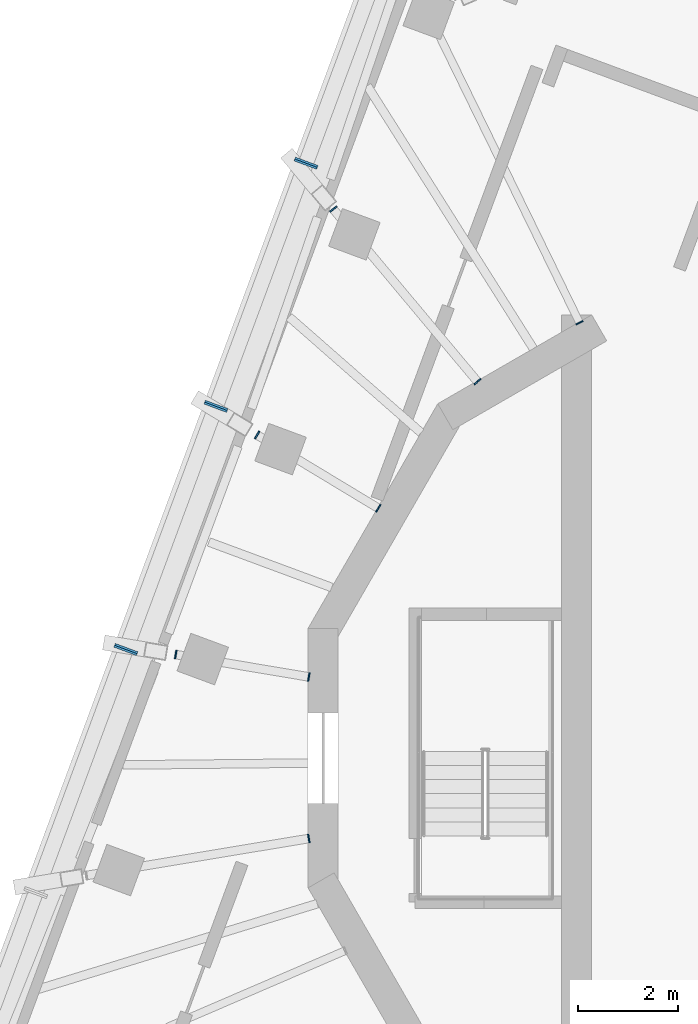
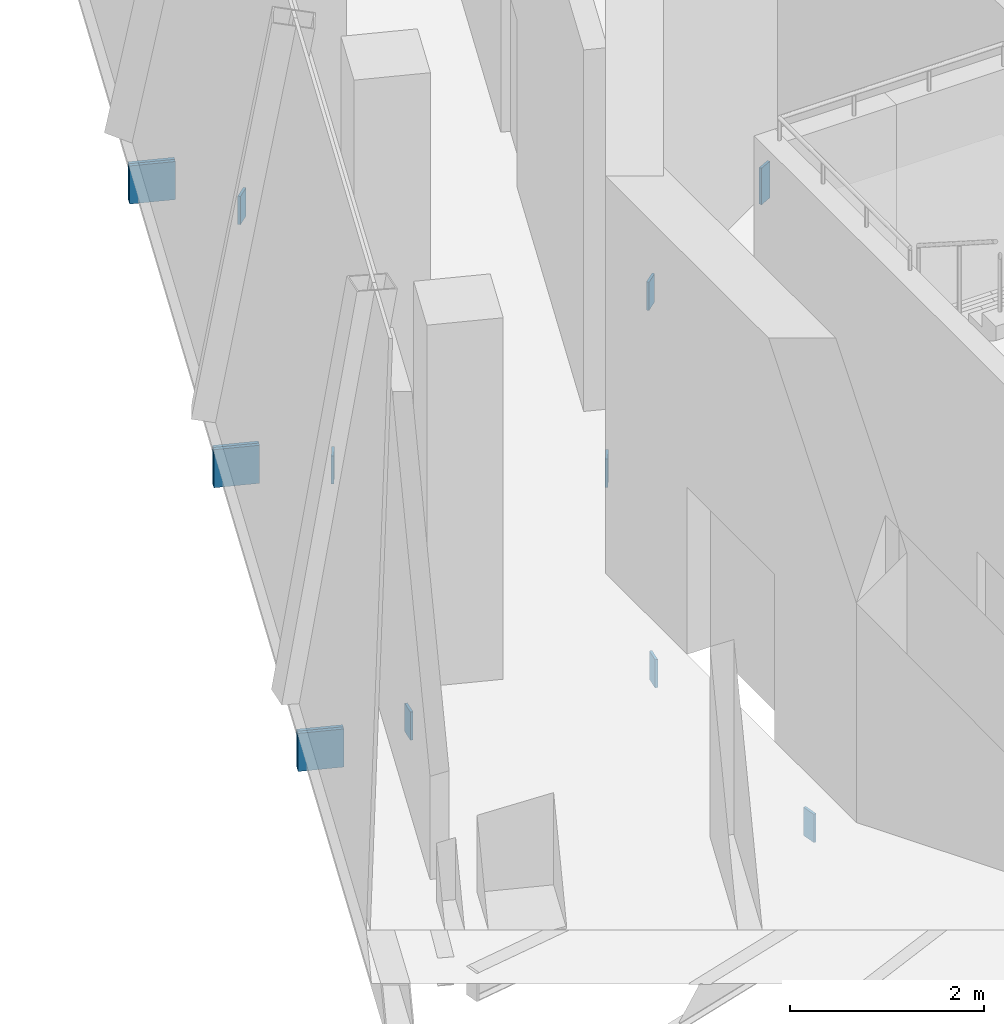
# One storey, part 9 of 13: 14 discrete accessories, 4 elements without a shape of their own.
"""IFC4 building model written with IfcOpenShell, lengths in metres."""

import ifcopenshell
import ifcopenshell.guid

model = None  # the IFC model being written
_history = None  # IfcOwnerHistory: only IFC2X3 demands one
_inside = {}  # id of a spatial element -> (the spatial element, [elements in it])
_under = {}  # id of a project, library or spatial element -> (it, [spatial elements below it])
_declared = {}  # id of a project -> (the project, [libraries it declares])
_typed = {}  # id of a type object -> (the type object, [elements of that type])
_made_of = {}  # id of a material, layer set ... -> (it, [elements and type objects made of it])


def new_model(schema):
    """Start an empty IFC model of exactly this schema.

    Asked for "IFC4X3", IfcOpenShell would pick the latest addendum, in which some entities
    have other attributes; the version numbers below select the first issue.
    IFC2X3 requires an IfcOwnerHistory on every rooted entity: one is made here for all.
    """
    global model, _history
    if schema == "IFC4X3":
        model = ifcopenshell.file(schema_version=(4, 3, 0, 0))
    else:
        model = ifcopenshell.file(schema=schema)
    _inside.clear()
    _under.clear()
    _declared.clear()
    _typed.clear()
    _made_of.clear()
    _history = None
    if model.schema == "IFC2X3":
        org = make("IfcOrganization", Name="unknown")
        user = make(
            "IfcPersonAndOrganization",
            ThePerson=make("IfcPerson", FamilyName="unknown"),
            TheOrganization=org,
        )
        app = make(
            "IfcApplication",
            ApplicationDeveloper=org,
            Version="unknown",
            ApplicationFullName="unknown",
            ApplicationIdentifier="unknown",
        )
        _history = make(
            "IfcOwnerHistory",
            OwningUser=user,
            OwningApplication=app,
            ChangeAction="ADDED",
            CreationDate=0,
        )
    return model


def make(cls, **values):
    """One entity of the class cls with the attributes given. An attribute that is None is left unset."""
    return model.create_entity(
        cls, **{name: value for name, value in values.items() if value is not None}
    )


def rooted(cls, **values):
    """An entity with a GlobalId (a new one), such as an element, a storey or a relation."""
    return make(cls, GlobalId=ifcopenshell.guid.new(), OwnerHistory=_history, **values)


def si_unit(unit_type, name, prefix=None):
    """IfcSIUnit, for example si_unit("LENGTHUNIT", "METRE", prefix="MILLI")."""
    return make("IfcSIUnit", UnitType=unit_type, Prefix=prefix, Name=name)


def assignment(units):
    """IfcUnitAssignment: the units of a project."""
    return None if units is None else make("IfcUnitAssignment", Units=units)


def point(xyz):
    """IfcCartesianPoint."""
    return None if xyz is None else make("IfcCartesianPoint", Coordinates=xyz)


def direction(xyz):
    """IfcDirection."""
    return None if xyz is None else make("IfcDirection", DirectionRatios=xyz)


def frame(location, z_axis=None, x_axis=None):
    """IfcAxis2Placement3D, a coordinate frame: its origin and axes. An axis left out is left unset."""
    return make(
        "IfcAxis2Placement3D",
        Location=point(location),
        Axis=direction(z_axis),
        RefDirection=direction(x_axis),
    )


def origin():
    """The frame at (0, 0, 0) with its axes left unset."""
    return frame((0.0, 0.0, 0.0))


def place(relative_to, where):
    """IfcLocalPlacement: puts the frame where relative to a parent placement (None: the world)."""
    return make(
        "IfcLocalPlacement", PlacementRelTo=relative_to, RelativePlacement=where
    )


def context(
    kind, dimensions, precision=None, world=None, true_north=None, identifier=None
):
    """IfcGeometricRepresentationContext, for example the 3D "Model" context."""
    return make(
        "IfcGeometricRepresentationContext",
        ContextIdentifier=identifier,
        ContextType=kind,
        CoordinateSpaceDimension=dimensions,
        Precision=precision,
        WorldCoordinateSystem=world,
        TrueNorth=true_north,
    )


def subcontext(parent, identifier, kind, view, scale=None):
    """IfcGeometricRepresentationSubContext, for example "Body" below "Model"."""
    return make(
        "IfcGeometricRepresentationSubContext",
        ContextIdentifier=identifier,
        ContextType=kind,
        ParentContext=parent,
        TargetScale=scale,
        TargetView=view,
    )


def project(units=None, contexts=None):
    """IfcProject with its units and contexts."""
    return rooted(
        "IfcProject",
        Name="project",
        RepresentationContexts=contexts,
        UnitsInContext=assignment(units),
    )


def spatial(cls, under=None, at=None, **own):
    """A site, building, storey or space (cls), placed at a placement, below another one or the project."""
    s = rooted(cls, ObjectPlacement=at, **own)
    if under is not None:
        _under.setdefault(under.id(), (under, []))[1].append(s)
    return s


def polyline(points):
    """IfcPolyline through the points."""
    return make("IfcPolyline", Points=[point(p) for p in points])


def outline(outer, holes=None, kind="AREA"):
    """IfcArbitraryClosedProfileDef: a profile drawn as a closed curve; with holes, ...WithVoids."""
    if holes is None:
        return make("IfcArbitraryClosedProfileDef", ProfileType=kind, OuterCurve=outer)
    return make(
        "IfcArbitraryProfileDefWithVoids",
        ProfileType=kind,
        OuterCurve=outer,
        InnerCurves=holes,
    )


def extrude(swept, where, along, depth):
    """IfcExtrudedAreaSolid: the profile swept, set in the frame where, extruded along a direction by depth."""
    return make(
        "IfcExtrudedAreaSolid",
        SweptArea=swept,
        Position=where,
        ExtrudedDirection=direction(along),
        Depth=depth,
    )


def shape(context_of_items, identifier, shape_type, items):
    """IfcShapeRepresentation: the items that make up one representation, for example the "Body"."""
    return make(
        "IfcShapeRepresentation",
        ContextOfItems=context_of_items,
        RepresentationIdentifier=identifier,
        RepresentationType=shape_type,
        Items=items,
    )


def material(Name=None, Category=None):
    """IfcMaterial."""
    return make("IfcMaterial", Name=Name, Category=Category)


def layer(
    of_material, thickness, ventilated=None, Name=None, Category=None, Priority=None
):
    """IfcMaterialLayer: one layer of a wall or slab, of a material (None: an air gap)."""
    return make(
        "IfcMaterialLayer",
        Material=of_material,
        LayerThickness=thickness,
        IsVentilated=ventilated,
        Name=Name,
        Category=Category,
        Priority=Priority,
    )


def layer_set(layers, Name=None):
    """IfcMaterialLayerSet."""
    return make("IfcMaterialLayerSet", MaterialLayers=layers, LayerSetName=Name)


def made_of(thing, what):
    """Note that an element or type object is made of a material, layer set ...; save() writes the relation."""
    if what is not None:
        _made_of.setdefault(what.id(), (what, []))[1].append(thing)
    return thing


def type_object(cls, material=None, **own):
    """A type object (cls), such as IfcWallType, which elements share."""
    return made_of(rooted(cls, **own), material)


def element(
    cls,
    number,
    at=None,
    inside=None,
    cuts=None,
    type_object=None,
    material=None,
    context=None,
    identifier="Body",
    shape_type=None,
    held_by="IfcProductDefinitionShape",
    body=None,
    shapes=None,
    **own,
):
    """One element of the class cls, such as IfcWall. Its Tag is "e" and its number.

    at: its placement. inside: the storey or other place that contains it. cuts: it is an
    opening in that element (IfcRelVoidsElement). A single representation is given by context,
    identifier, shape_type and body (its items); several are given by shapes. held_by: the class
    of the entity that holds the representations. save() writes the other relations.
    """
    e = rooted(cls, Tag="e%d" % number, ObjectPlacement=at, **own)
    if body is not None:
        shapes = [shape(context, identifier, shape_type, body)]
    if shapes is not None:
        e.Representation = make(held_by, Representations=shapes)
    if inside is not None:
        _inside.setdefault(inside.id(), (inside, []))[1].append(e)
    if cuts is not None:
        rooted(
            "IfcRelVoidsElement", RelatingBuildingElement=cuts, RelatedOpeningElement=e
        )
    if type_object is not None:
        _typed.setdefault(type_object.id(), (type_object, []))[1].append(e)
    return made_of(e, material)


def aggregate(whole, parts):
    """IfcRelAggregates: a whole, such as a stair, and the parts it consists of."""
    return rooted("IfcRelAggregates", RelatingObject=whole, RelatedObjects=parts)


def save(model, path):
    """Write the relations noted so far, then the file.

    IfcRelAggregates (storeys below a building ...), IfcRelContainedInSpatialStructure (elements
    in a storey), IfcRelDefinesByType, IfcRelAssociatesMaterial and IfcRelDeclares: one each for
    every whole, place, type object, material and project.
    """
    for whole, parts in _under.values():
        aggregate(whole, parts)
    for where, things in _inside.values():
        rooted(
            "IfcRelContainedInSpatialStructure",
            RelatedElements=things,
            RelatingStructure=where,
        )
    for kind, things in _typed.values():
        rooted("IfcRelDefinesByType", RelatedObjects=things, RelatingType=kind)
    for what, things in _made_of.values():
        rooted("IfcRelAssociatesMaterial", RelatedObjects=things, RelatingMaterial=what)
    for by, libraries in _declared.values():
        rooted("IfcRelDeclares", RelatingContext=by, RelatedDefinitions=libraries)
    model.write(path)


model = new_model("IFC4")

# Units and contexts
model_context = context("Model", 3, precision=1e-05, world=origin(), true_north=direction((0.0, 1.0)))
body_context = subcontext(model_context, "Body", "Model", "MODEL_VIEW")
ifc_project = project(units=[si_unit("LENGTHUNIT", "METRE"), si_unit("AREAUNIT", "SQUARE_METRE"), si_unit("VOLUMEUNIT", "CUBIC_METRE"), si_unit("PLANEANGLEUNIT", "RADIAN"), si_unit("MASSUNIT", "GRAM", prefix="KILO")], contexts=[model_context])

# Site, building, storey
site_placement = place(None, origin())
site = spatial("IfcSite", under=ifc_project, at=site_placement, CompositionType="ELEMENT")
building_placement = place(site_placement, origin())
building = spatial("IfcBuilding", under=site, at=building_placement, Name="Cantera Rosa Tower", CompositionType="ELEMENT")
storey_placement = place(building_placement, frame((0.0, 0.0, 355.699951171875)))
storey = spatial("IfcBuildingStorey", under=building, at=storey_placement, Name="L80", CompositionType="ELEMENT", Elevation=355.699951171875)

# Curtain wall, discrete accessory
ifc_material_1 = material(Name="Aluminium frame with clear glass", Category="aluminium")
curtain_wall_type = type_object("IfcCurtainWallType", Name="CW4 CROWN GLAZING", PredefinedType="NOTDEFINED", material=ifc_material_1)
curtain_wall_1_placement = place(storey_placement, origin())
curtain_wall_1 = element("IfcCurtainWall", 1, at=curtain_wall_1_placement, inside=storey, type_object=curtain_wall_type, Name="CW4 L80-10", PredefinedType="NOTDEFINED")
ifc_material_2 = material(Name="Steel S355J2 (EN 10025-2)", Category="steel")
ifc_layer = layer(ifc_material_2, 0.030029296875)
ifc_layer_set = layer_set([ifc_layer], Name="NODE PLATE 30")
discrete_accessory_type = type_object("IfcDiscreteAccessoryType", Name="NODE PLATE 30", PredefinedType="ANCHORPLATE", material=ifc_layer_set)
discrete_accessory_1_placement = place(storey_placement, frame((-9.48828125, 11.7490234375, -0.43505859375), z_axis=(-0.347496626235, -0.937681233018, 0.0), x_axis=(-0.937681233018, 0.347496626235, 0.0)))
discrete_accessory_1 = element("IfcDiscreteAccessory", 2, at=discrete_accessory_1_placement, type_object=discrete_accessory_type, Name="END PLATE TE1", PredefinedType="ANCHORPLATE", context=body_context, shape_type="SweptSolid", body=[
    extrude(outline(polyline([(0.0, 0.0), (0.4798551533622547, 0.0), (0.4798551533622547, 0.47998046875), (0.0, 0.47998046875), (0.0, 0.0)])), origin(), (0.0, 0.0, -1.0), 0.0400390625),
])
aggregate(curtain_wall_1, [discrete_accessory_1])

# Curtain wall, discrete accessories
curtain_wall_2_placement = place(storey_placement, origin())
curtain_wall_2 = element("IfcCurtainWall", 3, at=curtain_wall_2_placement, inside=storey, type_object=curtain_wall_type, Name="CW4 L80-11", PredefinedType="NOTDEFINED")
discrete_accessory_2_placement = place(storey_placement, frame((-9.910400390625, 11.990966796875, -0.43505859375), z_axis=(0.347943850259, 0.93751537431, 0.0), x_axis=(0.93751537431, -0.347943850259, 0.0)))
discrete_accessory_2 = element("IfcDiscreteAccessory", 4, at=discrete_accessory_2_placement, type_object=discrete_accessory_type, Name="END PLATE TE0", PredefinedType="ANCHORPLATE", context=body_context, shape_type="SweptSolid", body=[
    extrude(outline(polyline([(0.0, 0.0), (0.47994004600337425, 0.0), (0.47994004600337425, 0.47998046875), (0.0, 0.47998046875), (0.0, 0.0)])), origin(), (0.0, 0.0, -1.0), 0.0400390625),
])
discrete_accessory_3_placement = place(storey_placement, frame((-11.285888671875, 6.898193359375, -0.43505859375), z_axis=(-0.347496626235, -0.937681233018, 0.0), x_axis=(-0.937681233018, 0.347496626235, 0.0)))
discrete_accessory_3 = element("IfcDiscreteAccessory", 5, at=discrete_accessory_3_placement, type_object=discrete_accessory_type, Name="END PLATE TE1", PredefinedType="ANCHORPLATE", context=body_context, shape_type="SweptSolid", body=[
    extrude(outline(polyline([(0.0, 0.0), (0.4798551533622547, 0.0), (0.4798551533622547, 0.47998046875), (0.0, 0.47998046875), (0.0, 0.0)])), origin(), (0.0, 0.0, -1.0), 0.0400390625),
])
aggregate(curtain_wall_2, [discrete_accessory_2, discrete_accessory_3])

curtain_wall_3_placement = place(storey_placement, origin())
curtain_wall_3 = element("IfcCurtainWall", 6, at=curtain_wall_3_placement, inside=storey, type_object=curtain_wall_type, Name="CW4 L80-12", PredefinedType="NOTDEFINED")
discrete_accessory_4_placement = place(storey_placement, frame((-11.7080078125, 7.139892578125, -0.43505859375), z_axis=(0.347496626235, 0.937681233018, 0.0), x_axis=(0.937681233018, -0.347496626235, 0.0)))
discrete_accessory_4 = element("IfcDiscreteAccessory", 7, at=discrete_accessory_4_placement, type_object=discrete_accessory_type, Name="END PLATE TE0", PredefinedType="ANCHORPLATE", context=body_context, shape_type="SweptSolid", body=[
    extrude(outline(polyline([(0.0, 0.0), (0.4798551533622547, 0.0), (0.4798551533622547, 0.47998046875), (0.0, 0.47998046875), (0.0, 0.0)])), origin(), (0.0, 0.0, -1.0), 0.0400390625),
])
discrete_accessory_5_placement = place(storey_placement, frame((-13.08349609375, 2.047119140625, -0.43505859375), z_axis=(-0.347496626235, -0.937681233018, 0.0), x_axis=(-0.937681233018, 0.347496626235, 0.0)))
discrete_accessory_5 = element("IfcDiscreteAccessory", 8, at=discrete_accessory_5_placement, type_object=discrete_accessory_type, Name="END PLATE TE1", PredefinedType="ANCHORPLATE", context=body_context, shape_type="SweptSolid", body=[
    extrude(outline(polyline([(0.0, 0.0), (0.4798551533622547, 0.0), (0.4798551533622547, 0.47998046875), (0.0, 0.47998046875), (0.0, 0.0)])), origin(), (0.0, 0.0, -1.0), 0.0400390625),
])
aggregate(curtain_wall_3, [discrete_accessory_4, discrete_accessory_5])

# Curtain wall, discrete accessory
curtain_wall_4_placement = place(storey_placement, origin())
curtain_wall_4 = element("IfcCurtainWall", 9, at=curtain_wall_4_placement, inside=storey, type_object=curtain_wall_type, Name="CW4 L80-13", PredefinedType="NOTDEFINED")
discrete_accessory_6_placement = place(storey_placement, frame((-13.505859375, 2.2890625, -0.43505859375), z_axis=(0.347777987911, 0.937576914778, 0.0), x_axis=(0.937576914778, -0.347777987911, 0.0)))
discrete_accessory_6 = element("IfcDiscreteAccessory", 10, at=discrete_accessory_6_placement, type_object=discrete_accessory_type, Name="END PLATE TE0", PredefinedType="ANCHORPLATE", context=body_context, shape_type="SweptSolid", body=[
    extrude(outline(polyline([(0.0, 0.0), (0.4801689391068604, 0.0), (0.4801689391068604, 0.47998046875), (0.0, 0.47998046875), (0.0, 0.0)])), origin(), (0.0, 0.0, -1.0), 0.0400390625),
])
aggregate(curtain_wall_4, [discrete_accessory_6])

# Discrete accessories
discrete_accessory_7_placement = place(storey_placement, frame((0.0, 0.0, -0.909912109375)))
element("IfcDiscreteAccessory", 11, at=discrete_accessory_7_placement, inside=storey, type_object=discrete_accessory_type, Name="END PLATE CG-Z6-03 L80 B", PredefinedType="ANCHORPLATE", context=body_context, shape_type="SweptSolid", body=[
    extrude(outline(polyline([(-4.18017578125, 8.73388671875), (-4.1669921875, 8.70703125), (-4.305419921875, 8.639404296875), (-4.318603515625, 8.666259765625), (-4.18017578125, 8.73388671875)])), origin(), (0.0, 0.0, 1.0), 0.4599609375),
])
discrete_accessory_8_placement = place(storey_placement, frame((0.0, 0.0, -0.805908203125)))
element("IfcDiscreteAccessory", 12, at=discrete_accessory_8_placement, inside=storey, type_object=discrete_accessory_type, Name="END PLATE CG-Z6-04 L80 A", PredefinedType="ANCHORPLATE", context=body_context, shape_type="SweptSolid", body=[
    extrude(outline(polyline([(-9.21240234375, 10.886962890625), (-9.231689453125, 10.909912109375), (-9.1005859375, 11.01953125), (-9.081298828125, 10.99658203125), (-9.21240234375, 10.886962890625)])), origin(), (0.0, 0.0, 1.0), 0.35595703125),
])
discrete_accessory_9_placement = place(storey_placement, frame((0.0, 0.0, -0.805908203125)))
element("IfcDiscreteAccessory", 13, at=discrete_accessory_9_placement, inside=storey, type_object=discrete_accessory_type, Name="END PLATE CG-Z6-04 L80 B", PredefinedType="ANCHORPLATE", context=body_context, shape_type="SweptSolid", body=[
    extrude(outline(polyline([(-6.22314453125, 7.57763671875), (-6.203857421875, 7.554443359375), (-6.335205078125, 7.44482421875), (-6.354248046875, 7.4677734375), (-6.22314453125, 7.57763671875)])), origin(), (0.0, 0.0, 1.0), 0.35595703125),
])
discrete_accessory_10_placement = place(storey_placement, frame((0.0, 0.0, -0.805908203125)))
element("IfcDiscreteAccessory", 14, at=discrete_accessory_10_placement, inside=storey, type_object=discrete_accessory_type, Name="END PLATE CG-Z6-05 L80 A", PredefinedType="ANCHORPLATE", context=body_context, shape_type="SweptSolid", body=[
    extrude(outline(polyline([(-10.70703125, 6.366455078125), (-10.732666015625, 6.382080078125), (-10.644287109375, 6.5283203125), (-10.61865234375, 6.512939453125), (-10.70703125, 6.366455078125)])), origin(), (0.0, 0.0, 1.0), 0.35595703125),
])
discrete_accessory_11_placement = place(storey_placement, frame((0.0, 0.0, -0.805908203125)))
element("IfcDiscreteAccessory", 15, at=discrete_accessory_11_placement, inside=storey, type_object=discrete_accessory_type, Name="END PLATE CG-Z6-05 L80 B", PredefinedType="ANCHORPLATE", context=body_context, shape_type="SweptSolid", body=[
    extrude(outline(polyline([(-8.225830078125, 5.067626953125), (-8.2001953125, 5.05224609375), (-8.28857421875, 4.90576171875), (-8.314208984375, 4.92138671875), (-8.225830078125, 5.067626953125)])), origin(), (0.0, 0.0, 1.0), 0.35595703125),
])
discrete_accessory_12_placement = place(storey_placement, frame((0.0, 0.0, -0.805908203125)))
element("IfcDiscreteAccessory", 16, at=discrete_accessory_12_placement, inside=storey, type_object=discrete_accessory_type, Name="END PLATE CG-Z6-06 L80 A", PredefinedType="ANCHORPLATE", context=body_context, shape_type="SweptSolid", body=[
    extrude(outline(polyline([(-12.298583984375, 1.979736328125), (-12.328125, 1.984619140625), (-12.2998046875, 2.1533203125), (-12.270263671875, 2.148193359375), (-12.298583984375, 1.979736328125)])), origin(), (0.0, 0.0, 1.0), 0.35595703125),
])
discrete_accessory_13_placement = place(storey_placement, frame((0.0, 0.0, -0.805908203125)))
element("IfcDiscreteAccessory", 17, at=discrete_accessory_13_placement, inside=storey, type_object=discrete_accessory_type, Name="END PLATE CG-Z6-06 L80 B", PredefinedType="ANCHORPLATE", context=body_context, shape_type="SweptSolid", body=[
    extrude(outline(polyline([(-9.64501953125, 1.707275390625), (-9.615478515625, 1.7021484375), (-9.643798828125, 1.53369140625), (-9.67333984375, 1.53857421875), (-9.64501953125, 1.707275390625)])), origin(), (0.0, 0.0, 1.0), 0.35595703125),
])
discrete_accessory_14_placement = place(storey_placement, frame((0.0, 0.0, -0.805908203125)))
element("IfcDiscreteAccessory", 18, at=discrete_accessory_14_placement, inside=storey, type_object=discrete_accessory_type, Name="END PLATE CG-Z6-07 L80 B", PredefinedType="ANCHORPLATE", context=body_context, shape_type="SweptSolid", body=[
    extrude(outline(polyline([(-9.67333984375, -1.521484375), (-9.643798828125, -1.5166015625), (-9.61572265625, -1.685302734375), (-9.645263671875, -1.690185546875), (-9.67333984375, -1.521484375)])), origin(), (0.0, 0.0, 1.0), 0.35595703125),
])

save(model, "model.ifc")
